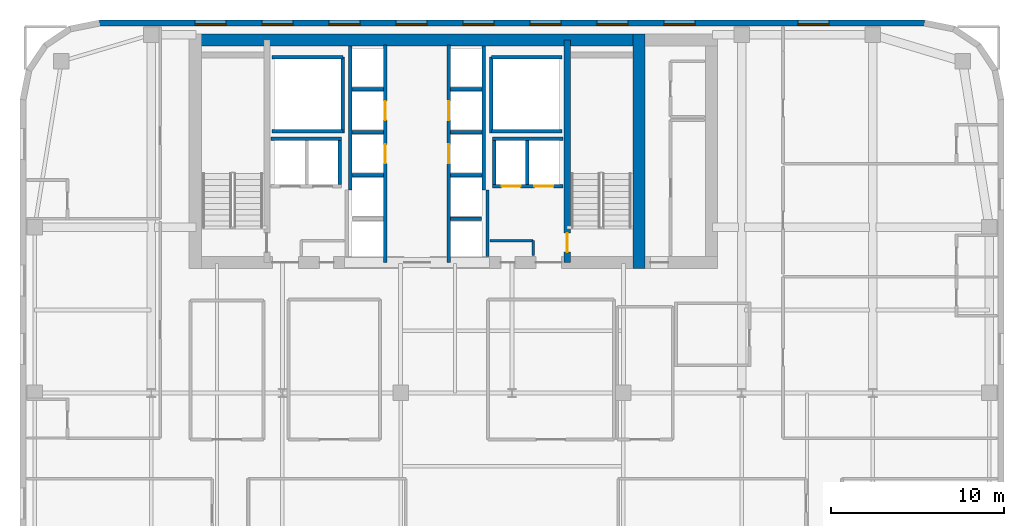
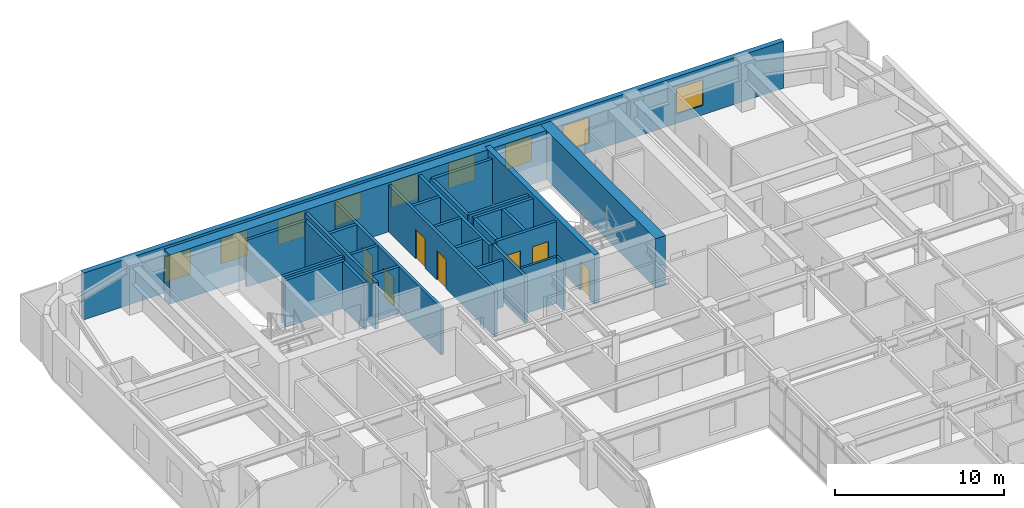
# One storey, part 14 of 16: 30 walls, 9 windows, 7 doors, 16 openings.
"""IFC4 building model written with IfcOpenShell, lengths in metres."""

import ifcopenshell
import ifcopenshell.guid

model = None  # the IFC model being written
_history = None  # IfcOwnerHistory: only IFC2X3 demands one
_inside = {}  # id of a spatial element -> (the spatial element, [elements in it])
_under = {}  # id of a project, library or spatial element -> (it, [spatial elements below it])
_declared = {}  # id of a project -> (the project, [libraries it declares])
_typed = {}  # id of a type object -> (the type object, [elements of that type])
_made_of = {}  # id of a material, layer set ... -> (it, [elements and type objects made of it])


def new_model(schema):
    """Start an empty IFC model of exactly this schema.

    Asked for "IFC4X3", IfcOpenShell would pick the latest addendum, in which some entities
    have other attributes; the version numbers below select the first issue.
    IFC2X3 requires an IfcOwnerHistory on every rooted entity: one is made here for all.
    """
    global model, _history
    if schema == "IFC4X3":
        model = ifcopenshell.file(schema_version=(4, 3, 0, 0))
    else:
        model = ifcopenshell.file(schema=schema)
    _inside.clear()
    _under.clear()
    _declared.clear()
    _typed.clear()
    _made_of.clear()
    _history = None
    if model.schema == "IFC2X3":
        org = make("IfcOrganization", Name="unknown")
        user = make(
            "IfcPersonAndOrganization",
            ThePerson=make("IfcPerson", FamilyName="unknown"),
            TheOrganization=org,
        )
        app = make(
            "IfcApplication",
            ApplicationDeveloper=org,
            Version="unknown",
            ApplicationFullName="unknown",
            ApplicationIdentifier="unknown",
        )
        _history = make(
            "IfcOwnerHistory",
            OwningUser=user,
            OwningApplication=app,
            ChangeAction="ADDED",
            CreationDate=0,
        )
    return model


def make(cls, **values):
    """One entity of the class cls with the attributes given. An attribute that is None is left unset."""
    return model.create_entity(
        cls, **{name: value for name, value in values.items() if value is not None}
    )


def rooted(cls, **values):
    """An entity with a GlobalId (a new one), such as an element, a storey or a relation."""
    return make(cls, GlobalId=ifcopenshell.guid.new(), OwnerHistory=_history, **values)


def si_unit(unit_type, name, prefix=None):
    """IfcSIUnit, for example si_unit("LENGTHUNIT", "METRE", prefix="MILLI")."""
    return make("IfcSIUnit", UnitType=unit_type, Prefix=prefix, Name=name)


def assignment(units):
    """IfcUnitAssignment: the units of a project."""
    return None if units is None else make("IfcUnitAssignment", Units=units)


def point(xyz):
    """IfcCartesianPoint."""
    return None if xyz is None else make("IfcCartesianPoint", Coordinates=xyz)


def direction(xyz):
    """IfcDirection."""
    return None if xyz is None else make("IfcDirection", DirectionRatios=xyz)


def frame(location, z_axis=None, x_axis=None):
    """IfcAxis2Placement3D, a coordinate frame: its origin and axes. An axis left out is left unset."""
    return make(
        "IfcAxis2Placement3D",
        Location=point(location),
        Axis=direction(z_axis),
        RefDirection=direction(x_axis),
    )


def frame_2d(location, x_axis=None):
    """IfcAxis2Placement2D, a coordinate frame in the plane: its origin and x axis."""
    return make(
        "IfcAxis2Placement2D", Location=point(location), RefDirection=direction(x_axis)
    )


def origin():
    """The frame at (0, 0, 0) with its axes left unset."""
    return frame((0.0, 0.0, 0.0))


def place(relative_to, where):
    """IfcLocalPlacement: puts the frame where relative to a parent placement (None: the world)."""
    return make(
        "IfcLocalPlacement", PlacementRelTo=relative_to, RelativePlacement=where
    )


def context(
    kind, dimensions, precision=None, world=None, true_north=None, identifier=None
):
    """IfcGeometricRepresentationContext, for example the 3D "Model" context."""
    return make(
        "IfcGeometricRepresentationContext",
        ContextIdentifier=identifier,
        ContextType=kind,
        CoordinateSpaceDimension=dimensions,
        Precision=precision,
        WorldCoordinateSystem=world,
        TrueNorth=true_north,
    )


def subcontext(parent, identifier, kind, view, scale=None):
    """IfcGeometricRepresentationSubContext, for example "Body" below "Model"."""
    return make(
        "IfcGeometricRepresentationSubContext",
        ContextIdentifier=identifier,
        ContextType=kind,
        ParentContext=parent,
        TargetScale=scale,
        TargetView=view,
    )


def project(units=None, contexts=None):
    """IfcProject with its units and contexts."""
    return rooted(
        "IfcProject",
        Name="project",
        RepresentationContexts=contexts,
        UnitsInContext=assignment(units),
    )


def spatial(cls, under=None, at=None, **own):
    """A site, building, storey or space (cls), placed at a placement, below another one or the project."""
    s = rooted(cls, ObjectPlacement=at, **own)
    if under is not None:
        _under.setdefault(under.id(), (under, []))[1].append(s)
    return s


def profile(cls, at=None, kind="AREA", **sizes):
    """A parametric profile (cls). Its sizes go by their IFC names, for example OverallWidth=200.0."""
    return make(cls, ProfileType=kind, Position=at, **sizes)


def rectangle(**sizes):
    """IfcRectangleProfileDef."""
    return profile("IfcRectangleProfileDef", **sizes)


def extrude(swept, where, along, depth):
    """IfcExtrudedAreaSolid: the profile swept, set in the frame where, extruded along a direction by depth."""
    return make(
        "IfcExtrudedAreaSolid",
        SweptArea=swept,
        Position=where,
        ExtrudedDirection=direction(along),
        Depth=depth,
    )


def shape(context_of_items, identifier, shape_type, items):
    """IfcShapeRepresentation: the items that make up one representation, for example the "Body"."""
    return make(
        "IfcShapeRepresentation",
        ContextOfItems=context_of_items,
        RepresentationIdentifier=identifier,
        RepresentationType=shape_type,
        Items=items,
    )


def source(mapping_origin, context_of_items, identifier, shape_type, items):
    """IfcRepresentationMap: a shape defined once, which mapped items show again and again."""
    return make(
        "IfcRepresentationMap",
        MappingOrigin=mapping_origin,
        MappedRepresentation=shape(context_of_items, identifier, shape_type, items),
    )


def transform(
    local_origin,
    x_axis=None,
    y_axis=None,
    z_axis=None,
    scale=None,
    scale2=None,
    scale3=None,
    uniform=True,
):
    """IfcCartesianTransformationOperator3D, or its non-uniform kind. x_axis, y_axis, z_axis: its Axis1, 2, 3."""
    if uniform:
        return make(
            "IfcCartesianTransformationOperator3D",
            Axis1=direction(x_axis),
            Axis2=direction(y_axis),
            LocalOrigin=point(local_origin),
            Scale=scale,
            Axis3=direction(z_axis),
        )
    return make(
        "IfcCartesianTransformationOperator3DnonUniform",
        Axis1=direction(x_axis),
        Axis2=direction(y_axis),
        LocalOrigin=point(local_origin),
        Scale=scale,
        Axis3=direction(z_axis),
        Scale2=scale2,
        Scale3=scale3,
    )


def mapped(mapping_source, mapping_target):
    """IfcMappedItem: shows the shape of a source again, moved by a transform."""
    return make(
        "IfcMappedItem", MappingSource=mapping_source, MappingTarget=mapping_target
    )


def material(Name=None, Category=None):
    """IfcMaterial."""
    return make("IfcMaterial", Name=Name, Category=Category)


def layer(
    of_material, thickness, ventilated=None, Name=None, Category=None, Priority=None
):
    """IfcMaterialLayer: one layer of a wall or slab, of a material (None: an air gap)."""
    return make(
        "IfcMaterialLayer",
        Material=of_material,
        LayerThickness=thickness,
        IsVentilated=ventilated,
        Name=Name,
        Category=Category,
        Priority=Priority,
    )


def layer_set(layers, Name=None):
    """IfcMaterialLayerSet."""
    return make("IfcMaterialLayerSet", MaterialLayers=layers, LayerSetName=Name)


def made_of(thing, what):
    """Note that an element or type object is made of a material, layer set ...; save() writes the relation."""
    if what is not None:
        _made_of.setdefault(what.id(), (what, []))[1].append(thing)
    return thing


def type_object(cls, material=None, **own):
    """A type object (cls), such as IfcWallType, which elements share."""
    return made_of(rooted(cls, **own), material)


def type_shapes(of_type, sources):
    """Give a type object the sources (RepresentationMaps) that its elements show as mapped items."""
    of_type.RepresentationMaps = sources


def element(
    cls,
    number,
    at=None,
    inside=None,
    cuts=None,
    type_object=None,
    material=None,
    context=None,
    identifier="Body",
    shape_type=None,
    held_by="IfcProductDefinitionShape",
    body=None,
    shapes=None,
    **own,
):
    """One element of the class cls, such as IfcWall. Its Tag is "e" and its number.

    at: its placement. inside: the storey or other place that contains it. cuts: it is an
    opening in that element (IfcRelVoidsElement). A single representation is given by context,
    identifier, shape_type and body (its items); several are given by shapes. held_by: the class
    of the entity that holds the representations. save() writes the other relations.
    """
    e = rooted(cls, Tag="e%d" % number, ObjectPlacement=at, **own)
    if body is not None:
        shapes = [shape(context, identifier, shape_type, body)]
    if shapes is not None:
        e.Representation = make(held_by, Representations=shapes)
    if inside is not None:
        _inside.setdefault(inside.id(), (inside, []))[1].append(e)
    if cuts is not None:
        rooted(
            "IfcRelVoidsElement", RelatingBuildingElement=cuts, RelatedOpeningElement=e
        )
    if type_object is not None:
        _typed.setdefault(type_object.id(), (type_object, []))[1].append(e)
    return made_of(e, material)


def fill(opening, filler):
    """IfcRelFillsElement: the door or window that sits in an opening."""
    return rooted(
        "IfcRelFillsElement",
        RelatingOpeningElement=opening,
        RelatedBuildingElement=filler,
    )


def aggregate(whole, parts):
    """IfcRelAggregates: a whole, such as a stair, and the parts it consists of."""
    return rooted("IfcRelAggregates", RelatingObject=whole, RelatedObjects=parts)


def save(model, path):
    """Write the relations noted so far, then the file.

    IfcRelAggregates (storeys below a building ...), IfcRelContainedInSpatialStructure (elements
    in a storey), IfcRelDefinesByType, IfcRelAssociatesMaterial and IfcRelDeclares: one each for
    every whole, place, type object, material and project.
    """
    for whole, parts in _under.values():
        aggregate(whole, parts)
    for where, things in _inside.values():
        rooted(
            "IfcRelContainedInSpatialStructure",
            RelatedElements=things,
            RelatingStructure=where,
        )
    for kind, things in _typed.values():
        rooted("IfcRelDefinesByType", RelatedObjects=things, RelatingType=kind)
    for what, things in _made_of.values():
        rooted("IfcRelAssociatesMaterial", RelatedObjects=things, RelatingMaterial=what)
    for by, libraries in _declared.values():
        rooted("IfcRelDeclares", RelatingContext=by, RelatedDefinitions=libraries)
    model.write(path)


model = new_model("IFC4")

# Units and contexts
model_context = context("Model", 3, precision=1e-05, world=origin(), true_north=direction((0.0, 1.0)))
body_context = subcontext(model_context, "Body", "Model", "MODEL_VIEW")
ifc_project = project(units=[si_unit("LENGTHUNIT", "METRE"), si_unit("AREAUNIT", "SQUARE_METRE"), si_unit("VOLUMEUNIT", "CUBIC_METRE"), si_unit("PLANEANGLEUNIT", "RADIAN"), si_unit("MASSUNIT", "GRAM", prefix="KILO")], contexts=[model_context])

# Site, building, storey
site_placement = place(None, origin())
site = spatial("IfcSite", under=ifc_project, at=site_placement, CompositionType="ELEMENT")
building_placement = place(site_placement, origin())
building = spatial("IfcBuilding", under=site, at=building_placement, Name="Tolvann Quenvar Hotel", CompositionType="ELEMENT")
storey_placement = place(building_placement, frame((0.0, 0.0, 115.10009765625)))
storey = spatial("IfcBuildingStorey", under=building, at=storey_placement, Name="L29", CompositionType="ELEMENT", Elevation=115.10009765625)

# Walls
ifc_material_1 = material(Name="Concrete S65 (65 MPa)", Category="concrete")
ifc_layer_1 = layer(ifc_material_1, 0.699951171875)
ifc_layer_set_1 = layer_set([ifc_layer_1], Name="Concrete S65 (65 MPa)")
wall_type_1 = type_object("IfcWallType", Name="WALL_CORE_700", PredefinedType="SHEAR", material=ifc_layer_set_1)
wall_1_placement = place(storey_placement, frame((9.800048828125, 44.85009765625, 0.0), z_axis=(0.0, 0.0, 1.0), x_axis=(1.0, 0.0, 0.0)))
element("IfcWall", 1, at=wall_1_placement, inside=storey, type_object=wall_type_1, Name="Rear Core N Shear Wall (L29)", PredefinedType="SHEAR", context=body_context, shape_type="SweptSolid", body=[
    extrude(rectangle(XDim=26.39990234375, YDim=0.699951171875, at=frame_2d((13.199951171875, 0.0))), origin(), (0.0, 0.0, 1.0), 3.5498046875),
])
wall_2_placement = place(storey_placement, frame((35.85009765625, 31.60009765625, 0.0), z_axis=(0.0, 0.0, 1.0), x_axis=(0.0, 1.0, 0.0)))
element("IfcWall", 2, at=wall_2_placement, inside=storey, type_object=wall_type_1, Name="Rear Core E Shear Wall (L29)", PredefinedType="SHEAR", context=body_context, shape_type="SweptSolid", body=[
    extrude(rectangle(XDim=13.599853515625, YDim=0.699951171875, at=frame_2d((6.7998046875, 0.0))), origin(), (0.0, 0.0, 1.0), 3.5498046875),
])

# Wall, opening, door
ifc_layer_2 = layer(ifc_material_1, 0.35009765625)
ifc_layer_set_2 = layer_set([ifc_layer_2], Name="Concrete S65 (65 MPa)")
wall_type_2 = type_object("IfcWallType", Name="WALL_CORE_INT_350", PredefinedType="SHEAR", material=ifc_layer_set_2)
wall_3_placement = place(storey_placement, frame((31.699951171875, 31.949951171875, 0.0), z_axis=(0.0, 0.0, 1.0), x_axis=(0.0, 1.0, 0.0)))
wall_3 = element("IfcWall", 3, at=wall_3_placement, inside=storey, type_object=wall_type_2, Name="Core Internal Web Shear Wall WEB-E (L29)", PredefinedType="SHEAR", context=body_context, shape_type="SweptSolid", body=[
    extrude(rectangle(XDim=12.900146484375, YDim=0.35009765625, at=frame_2d((6.4501953125, 0.0))), origin(), (0.0, 0.0, 1.0), 3.5498046875),
])
opening_1_placement = place(wall_3_placement, frame((1.7001953125, 0.0, 0.0), z_axis=(0.0, 0.0, 1.0), x_axis=(-1.0, 0.0, 0.0)))
opening_1 = element("IfcOpeningElement", 4, at=opening_1_placement, cuts=wall_3, Name="Opening FD-120", PredefinedType="OPENING", context=body_context, shape_type="SweptSolid", body=[
    extrude(rectangle(XDim=1.10009765625, YDim=2.1201171875, at=frame_2d((0.550048828125, 1.06005859375))), frame((0.0, 0.18505859375, 0.0), z_axis=(0.0, -1.0, 0.0), x_axis=(1.0, 0.0, 0.0)), (0.0, 0.0, 1.0), 0.3701171875),
])
ifc_material_2 = material(Name="Pressed galvanised steel fire-rated door set", Category="steel")
door_type_1 = type_object("IfcDoorType", Name="DOOR_FIRE_STAIR_1100", OperationType="NOTDEFINED", PredefinedType="DOOR", material=ifc_material_2)
shared_shape_1 = source(origin(), body_context, "Body", "SweptSolid", [
    extrude(rectangle(XDim=1.10009765625, YDim=2.1201171875, at=frame_2d((0.550048828125, 1.06005859375))), frame((0.0, 0.02490234375, 0.0), z_axis=(0.0, -1.0, 0.0), x_axis=(1.0, 0.0, 0.0)), (0.0, 0.0, 1.0), 0.050048828125),
])
type_shapes(door_type_1, [shared_shape_1])
door_1_placement = place(opening_1_placement, origin())
door_1 = element("IfcDoor", 5, at=door_1_placement, inside=storey, type_object=door_type_1, Name="Exit Stair ST-C2 Fire Door (L29)", OperationType="SINGLE_SWING_RIGHT", OverallHeight=2.1201171875, OverallWidth=1.10009765625, PredefinedType="DOOR", context=body_context, shape_type="MappedRepresentation", body=[
    mapped(shared_shape_1, transform((0.0, 0.0, 0.0), x_axis=(1.0, 0.0, 0.0), y_axis=(0.0, 1.0, 0.0), z_axis=(0.0, 0.0, 1.0), scale=1.0)),
])
fill(opening_1, door_1)

# Wall, openings, windows
ifc_material_3 = material(Name="Kiln-fired red and buff architectural clay brickwork and terracotta masonry", Category="masonry")
ifc_layer_3 = layer(ifc_material_3, 0.35009765625)
ifc_layer_set_3 = layer_set([ifc_layer_3], Name="Kiln-fired red and buff architectural clay brickwork and terracotta masonry")
wall_type_3 = type_object("IfcWallType", Name="WALL_EXT_BRICK_350", PredefinedType="SOLIDWALL", material=ifc_layer_set_3)
wall_4_placement = place(storey_placement, frame((52.3828125, 45.824951171875, 0.0), z_axis=(0.0, 0.0, 1.0), x_axis=(-1.0, 0.0, 0.0)))
wall_4 = element("IfcWall", 6, at=wall_4_placement, inside=storey, type_object=wall_type_3, Name="Exterior Chicago Brick Wall L29-E18", PredefinedType="SOLIDWALL", context=body_context, shape_type="SweptSolid", body=[
    extrude(rectangle(XDim=47.765625, YDim=0.35009765625, at=frame_2d((23.8828125, 0.0))), origin(), (0.0, 0.0, 1.0), 3.369873046875),
])
opening_2_placement = place(wall_4_placement, frame((5.52099609375, 0.0, 0.679931640625)))
opening_2 = element("IfcOpeningElement", 7, at=opening_2_placement, cuts=wall_4, Name="Opening W-03", PredefinedType="OPENING", context=body_context, shape_type="SweptSolid", body=[
    extrude(rectangle(XDim=1.800048828125, YDim=1.85009765625, at=frame_2d((0.89990234375, 0.925048828125))), frame((0.0, 0.18505859375, 0.0), z_axis=(0.0, -1.0, 0.0), x_axis=(1.0, 0.0, 0.0)), (0.0, 0.0, 1.0), 0.3701171875),
])
opening_3_placement = place(wall_4_placement, frame((13.281982421875, 0.0, 0.679931640625)))
opening_3 = element("IfcOpeningElement", 8, at=opening_3_placement, cuts=wall_4, Name="Opening W-03", PredefinedType="OPENING", context=body_context, shape_type="SweptSolid", body=[
    extrude(rectangle(XDim=1.800048828125, YDim=1.85009765625, at=frame_2d((0.89990234375, 0.925048828125))), frame((0.0, 0.18505859375, 0.0), z_axis=(0.0, -1.0, 0.0), x_axis=(1.0, 0.0, 0.0)), (0.0, 0.0, 1.0), 0.3701171875),
])
opening_4_placement = place(wall_4_placement, frame((17.162109375, 0.0, 0.679931640625)))
opening_4 = element("IfcOpeningElement", 9, at=opening_4_placement, cuts=wall_4, Name="Opening W-03", PredefinedType="OPENING", context=body_context, shape_type="SweptSolid", body=[
    extrude(rectangle(XDim=1.800048828125, YDim=1.85009765625, at=frame_2d((0.89990234375, 0.925048828125))), frame((0.0, 0.18505859375, 0.0), z_axis=(0.0, -1.0, 0.0), x_axis=(1.0, 0.0, 0.0)), (0.0, 0.0, 1.0), 0.3701171875),
])
opening_5_placement = place(wall_4_placement, frame((21.04296875, 0.0, 0.679931640625)))
opening_5 = element("IfcOpeningElement", 10, at=opening_5_placement, cuts=wall_4, Name="Opening W-03", PredefinedType="OPENING", context=body_context, shape_type="SweptSolid", body=[
    extrude(rectangle(XDim=1.800048828125, YDim=1.85009765625, at=frame_2d((0.89990234375, 0.925048828125))), frame((0.0, 0.18505859375, 0.0), z_axis=(0.0, -1.0, 0.0), x_axis=(1.0, 0.0, 0.0)), (0.0, 0.0, 1.0), 0.3701171875),
])
opening_6_placement = place(wall_4_placement, frame((24.923095703125, 0.0, 0.679931640625)))
opening_6 = element("IfcOpeningElement", 11, at=opening_6_placement, cuts=wall_4, Name="Opening W-03", PredefinedType="OPENING", context=body_context, shape_type="SweptSolid", body=[
    extrude(rectangle(XDim=1.800048828125, YDim=1.85009765625, at=frame_2d((0.89990234375, 0.925048828125))), frame((0.0, 0.18505859375, 0.0), z_axis=(0.0, -1.0, 0.0), x_axis=(1.0, 0.0, 0.0)), (0.0, 0.0, 1.0), 0.3701171875),
])
opening_7_placement = place(wall_4_placement, frame((28.803955078125, 0.0, 0.679931640625)))
opening_7 = element("IfcOpeningElement", 12, at=opening_7_placement, cuts=wall_4, Name="Opening W-03", PredefinedType="OPENING", context=body_context, shape_type="SweptSolid", body=[
    extrude(rectangle(XDim=1.800048828125, YDim=1.85009765625, at=frame_2d((0.89990234375, 0.925048828125))), frame((0.0, 0.18505859375, 0.0), z_axis=(0.0, -1.0, 0.0), x_axis=(1.0, 0.0, 0.0)), (0.0, 0.0, 1.0), 0.3701171875),
])
opening_8_placement = place(wall_4_placement, frame((32.68408203125, 0.0, 0.679931640625)))
opening_8 = element("IfcOpeningElement", 13, at=opening_8_placement, cuts=wall_4, Name="Opening W-03", PredefinedType="OPENING", context=body_context, shape_type="SweptSolid", body=[
    extrude(rectangle(XDim=1.800048828125, YDim=1.85009765625, at=frame_2d((0.89990234375, 0.925048828125))), frame((0.0, 0.18505859375, 0.0), z_axis=(0.0, -1.0, 0.0), x_axis=(1.0, 0.0, 0.0)), (0.0, 0.0, 1.0), 0.3701171875),
])
opening_9_placement = place(wall_4_placement, frame((36.56396484375, 0.0, 0.679931640625)))
opening_9 = element("IfcOpeningElement", 14, at=opening_9_placement, cuts=wall_4, Name="Opening W-03", PredefinedType="OPENING", context=body_context, shape_type="SweptSolid", body=[
    extrude(rectangle(XDim=1.800048828125, YDim=1.85009765625, at=frame_2d((0.89990234375, 0.925048828125))), frame((0.0, 0.18505859375, 0.0), z_axis=(0.0, -1.0, 0.0), x_axis=(1.0, 0.0, 0.0)), (0.0, 0.0, 1.0), 0.3701171875),
])
opening_10_placement = place(wall_4_placement, frame((40.445068359375, 0.0, 0.679931640625)))
opening_10 = element("IfcOpeningElement", 15, at=opening_10_placement, cuts=wall_4, Name="Opening W-03", PredefinedType="OPENING", context=body_context, shape_type="SweptSolid", body=[
    extrude(rectangle(XDim=1.800048828125, YDim=1.85009765625, at=frame_2d((0.89990234375, 0.925048828125))), frame((0.0, 0.18505859375, 0.0), z_axis=(0.0, -1.0, 0.0), x_axis=(1.0, 0.0, 0.0)), (0.0, 0.0, 1.0), 0.3701171875),
])
ifc_material_4 = material(Name="Thermally broken bronze-anodised aluminium frame with double low-E glazing", Category="aluminium")
window_type = type_object("IfcWindowType", Name="WIN_CHI_1800x2050", PartitioningType="TRIPLE_PANEL_HORIZONTAL", PredefinedType="WINDOW", material=ifc_material_4)
shared_shape_2 = source(origin(), body_context, "Body", "SweptSolid", [
    extrude(rectangle(XDim=1.800048828125, YDim=1.85009765625, at=frame_2d((0.89990234375, 0.925048828125))), frame((0.0, 0.090087890625, 0.0), z_axis=(0.0, -1.0, 0.0), x_axis=(1.0, 0.0, 0.0)), (0.0, 0.0, 1.0), 0.06005859375),
])
type_shapes(window_type, [shared_shape_2])
window_1_placement = place(opening_2_placement, origin())
window_1 = element("IfcWindow", 16, at=window_1_placement, inside=storey, type_object=window_type, Name="Chicago Window W-03 (EW-L29-E18-W01)", OverallHeight=1.85009765625, OverallWidth=1.800048828125, PartitioningType="TRIPLE_PANEL_HORIZONTAL", PredefinedType="WINDOW", context=body_context, shape_type="MappedRepresentation", body=[
    mapped(shared_shape_2, transform((0.0, 0.0, 0.0), x_axis=(1.0, 0.0, 0.0), y_axis=(0.0, 1.0, 0.0), z_axis=(0.0, 0.0, 1.0), scale=1.0)),
])
fill(opening_2, window_1)
window_2_placement = place(opening_3_placement, origin())
window_2 = element("IfcWindow", 17, at=window_2_placement, inside=storey, type_object=window_type, Name="Chicago Window W-03 (EW-L29-E18-W02)", OverallHeight=1.85009765625, OverallWidth=1.800048828125, PartitioningType="TRIPLE_PANEL_HORIZONTAL", PredefinedType="WINDOW", context=body_context, shape_type="MappedRepresentation", body=[
    mapped(shared_shape_2, transform((0.0, 0.0, 0.0), x_axis=(1.0, 0.0, 0.0), y_axis=(0.0, 1.0, 0.0), z_axis=(0.0, 0.0, 1.0), scale=1.0)),
])
fill(opening_3, window_2)
window_3_placement = place(opening_4_placement, origin())
window_3 = element("IfcWindow", 18, at=window_3_placement, inside=storey, type_object=window_type, Name="Chicago Window W-03 (EW-L29-E18-W03)", OverallHeight=1.85009765625, OverallWidth=1.800048828125, PartitioningType="TRIPLE_PANEL_HORIZONTAL", PredefinedType="WINDOW", context=body_context, shape_type="MappedRepresentation", body=[
    mapped(shared_shape_2, transform((0.0, 0.0, 0.0), x_axis=(1.0, 0.0, 0.0), y_axis=(0.0, 1.0, 0.0), z_axis=(0.0, 0.0, 1.0), scale=1.0)),
])
fill(opening_4, window_3)
window_4_placement = place(opening_5_placement, origin())
window_4 = element("IfcWindow", 19, at=window_4_placement, inside=storey, type_object=window_type, Name="Chicago Window W-03 (EW-L29-E18-W04)", OverallHeight=1.85009765625, OverallWidth=1.800048828125, PartitioningType="TRIPLE_PANEL_HORIZONTAL", PredefinedType="WINDOW", context=body_context, shape_type="MappedRepresentation", body=[
    mapped(shared_shape_2, transform((0.0, 0.0, 0.0), x_axis=(1.0, 0.0, 0.0), y_axis=(0.0, 1.0, 0.0), z_axis=(0.0, 0.0, 1.0), scale=1.0)),
])
fill(opening_5, window_4)
window_5_placement = place(opening_6_placement, origin())
window_5 = element("IfcWindow", 20, at=window_5_placement, inside=storey, type_object=window_type, Name="Chicago Window W-03 (EW-L29-E18-W05)", OverallHeight=1.85009765625, OverallWidth=1.800048828125, PartitioningType="TRIPLE_PANEL_HORIZONTAL", PredefinedType="WINDOW", context=body_context, shape_type="MappedRepresentation", body=[
    mapped(shared_shape_2, transform((0.0, 0.0, 0.0), x_axis=(1.0, 0.0, 0.0), y_axis=(0.0, 1.0, 0.0), z_axis=(0.0, 0.0, 1.0), scale=1.0)),
])
fill(opening_6, window_5)
window_6_placement = place(opening_7_placement, origin())
window_6 = element("IfcWindow", 21, at=window_6_placement, inside=storey, type_object=window_type, Name="Chicago Window W-03 (EW-L29-E18-W06)", OverallHeight=1.85009765625, OverallWidth=1.800048828125, PartitioningType="TRIPLE_PANEL_HORIZONTAL", PredefinedType="WINDOW", context=body_context, shape_type="MappedRepresentation", body=[
    mapped(shared_shape_2, transform((0.0, 0.0, 0.0), x_axis=(1.0, 0.0, 0.0), y_axis=(0.0, 1.0, 0.0), z_axis=(0.0, 0.0, 1.0), scale=1.0)),
])
fill(opening_7, window_6)
window_7_placement = place(opening_8_placement, origin())
window_7 = element("IfcWindow", 22, at=window_7_placement, inside=storey, type_object=window_type, Name="Chicago Window W-03 (EW-L29-E18-W07)", OverallHeight=1.85009765625, OverallWidth=1.800048828125, PartitioningType="TRIPLE_PANEL_HORIZONTAL", PredefinedType="WINDOW", context=body_context, shape_type="MappedRepresentation", body=[
    mapped(shared_shape_2, transform((0.0, 0.0, 0.0), x_axis=(1.0, 0.0, 0.0), y_axis=(0.0, 1.0, 0.0), z_axis=(0.0, 0.0, 1.0), scale=1.0)),
])
fill(opening_8, window_7)
window_8_placement = place(opening_9_placement, origin())
window_8 = element("IfcWindow", 23, at=window_8_placement, inside=storey, type_object=window_type, Name="Chicago Window W-03 (EW-L29-E18-W08)", OverallHeight=1.85009765625, OverallWidth=1.800048828125, PartitioningType="TRIPLE_PANEL_HORIZONTAL", PredefinedType="WINDOW", context=body_context, shape_type="MappedRepresentation", body=[
    mapped(shared_shape_2, transform((0.0, 0.0, 0.0), x_axis=(1.0, 0.0, 0.0), y_axis=(0.0, 1.0, 0.0), z_axis=(0.0, 0.0, 1.0), scale=1.0)),
])
fill(opening_9, window_8)
window_9_placement = place(opening_10_placement, origin())
window_9 = element("IfcWindow", 24, at=window_9_placement, inside=storey, type_object=window_type, Name="Chicago Window W-03 (EW-L29-E18-W09)", OverallHeight=1.85009765625, OverallWidth=1.800048828125, PartitioningType="TRIPLE_PANEL_HORIZONTAL", PredefinedType="WINDOW", context=body_context, shape_type="MappedRepresentation", body=[
    mapped(shared_shape_2, transform((0.0, 0.0, 0.0), x_axis=(1.0, 0.0, 0.0), y_axis=(0.0, 1.0, 0.0), z_axis=(0.0, 0.0, 1.0), scale=1.0)),
])
fill(opening_10, window_9)

# Walls
ifc_material_5 = material(Name="Acoustic twin-stud fire-rated gypsum plasterboard partition")
ifc_layer_4 = layer(ifc_material_5, 0.14990234375)
ifc_layer_set_4 = layer_set([ifc_layer_4], Name="Acoustic twin-stud fire-rated gypsum plasterboard partition")
wall_type_4 = type_object("IfcWallType", Name="WALL_PART_SUITE_150", PredefinedType="PARTITIONING", material=ifc_layer_set_4)
wall_5_placement = place(storey_placement, frame((27.235107421875, 33.219970703125, 0.0), z_axis=(0.0, 0.0, 1.0), x_axis=(1.0, 0.0, 0.0)))
element("IfcWall", 25, at=wall_5_placement, inside=storey, type_object=wall_type_4, Name="Interior Partition PT-SPC-L29-CSE-2-N", PredefinedType="PARTITIONING", context=body_context, shape_type="SweptSolid", body=[
    extrude(rectangle(XDim=2.48486328125, YDim=0.14990234375, at=frame_2d((1.242431640625, 0.0))), origin(), (0.0, 0.0, 1.0), 3.369873046875),
])
wall_6_placement = place(storey_placement, frame((29.719970703125, 32.35498046875, 0.0), z_axis=(0.0, 0.0, 1.0), x_axis=(0.0, 1.0, 0.0)))
element("IfcWall", 26, at=wall_6_placement, inside=storey, type_object=wall_type_4, Name="Interior Partition PT-SPC-L29-CSE-2-E", PredefinedType="PARTITIONING", context=body_context, shape_type="SweptSolid", body=[
    extrude(rectangle(XDim=0.864990234375, YDim=0.14990234375, at=frame_2d((0.4326171875, 0.0))), origin(), (0.0, 0.0, 1.0), 3.369873046875),
])
ifc_material_6 = material(Name="Concrete N40 (40 MPa)", Category="concrete")
ifc_layer_5 = layer(ifc_material_6, 0.199951171875)
ifc_layer_set_5 = layer_set([ifc_layer_5], Name="Concrete N40 (40 MPa)")
wall_type_5 = type_object("IfcWallType", Name="WALL_SHAFT_200", PredefinedType="SOLIDWALL", material=ifc_layer_set_5)
wall_7_placement = place(storey_placement, frame((18.699951171875, 39.449951171875, 0.0), z_axis=(0.0, 0.0, 1.0), x_axis=(0.0, 1.0, 0.0)))
element("IfcWall", 27, at=wall_7_placement, inside=storey, type_object=wall_type_5, Name="Service Riser W Shaft Wall IN (L29)", PredefinedType="SOLIDWALL", context=body_context, shape_type="SweptSolid", body=[
    extrude(rectangle(XDim=4.400146484375, YDim=0.199951171875, at=frame_2d((2.2001953125, 0.0))), origin(), (0.0, 0.0, 1.0), 3.369873046875),
])
for number, where, z_axis, x_axis, name in (
    (28, (14.60009765625, 39.550048828125, 0.0), (0.0, 0.0, 1.0), (1.0, 0.0, 0.0), "Service Riser W Shaft Wall S (L29)"),
    (29, (14.60009765625, 43.85009765625, 0.0), (0.0, 0.0, 1.0), (1.0, 0.0, 0.0), "Service Riser W Shaft Wall N (L29)"),
):
    element("IfcWall", number, at=place(storey_placement, frame(where, z_axis=z_axis, x_axis=x_axis)), inside=storey, type_object=wall_type_5, Name=name, PredefinedType="SOLIDWALL", context=body_context, shape_type="SweptSolid", body=[
        extrude(rectangle(XDim=4.099853515625, YDim=0.199951171875, at=frame_2d((2.0498046875, 0.0))), origin(), (0.0, 0.0, 1.0), 3.369873046875),
    ])
wall_8_placement = place(storey_placement, frame((27.300048828125, 39.449951171875, 0.0), z_axis=(0.0, 0.0, 1.0), x_axis=(0.0, 1.0, 0.0)))
element("IfcWall", 30, at=wall_8_placement, inside=storey, type_object=wall_type_5, Name="Service Riser E Shaft Wall IN (L29)", PredefinedType="SOLIDWALL", context=body_context, shape_type="SweptSolid", body=[
    extrude(rectangle(XDim=4.400146484375, YDim=0.199951171875, at=frame_2d((2.2001953125, 0.0))), origin(), (0.0, 0.0, 1.0), 3.369873046875),
])
for number, where, z_axis, x_axis, name in (
    (31, (27.300048828125, 39.550048828125, 0.0), (0.0, 0.0, 1.0), (1.0, 0.0, 0.0), "Service Riser E Shaft Wall S (L29)"),
    (32, (27.300048828125, 43.85009765625, 0.0), (0.0, 0.0, 1.0), (1.0, 0.0, 0.0), "Service Riser E Shaft Wall N (L29)"),
):
    element("IfcWall", number, at=place(storey_placement, frame(where, z_axis=z_axis, x_axis=x_axis)), inside=storey, type_object=wall_type_5, Name=name, PredefinedType="SOLIDWALL", context=body_context, shape_type="SweptSolid", body=[
        extrude(rectangle(XDim=4.099853515625, YDim=0.199951171875, at=frame_2d((2.0498046875, 0.0))), origin(), (0.0, 0.0, 1.0), 3.369873046875),
    ])
wall_9_placement = place(storey_placement, frame((27.080078125, 32.303955078125, 0.0), z_axis=(0.0, 0.0, 1.0), x_axis=(0.0, 1.0, 0.0)))
element("IfcWall", 33, at=wall_9_placement, inside=storey, type_object=wall_type_5, Name="Firefighting Lobby E Inner Fire Wall (L29)", PredefinedType="SOLIDWALL", context=body_context, shape_type="SweptSolid", body=[
    extrude(rectangle(XDim=3.845947265625, YDim=0.199951171875, at=frame_2d((1.9228515625, 0.0))), origin(), (0.0, 0.0, 1.0), 3.369873046875),
])

# Wall, openings, doors
wall_10_placement = place(storey_placement, frame((21.169921875, 31.9599609375, 0.0), z_axis=(0.0, 0.0, 1.0), x_axis=(0.0, 1.0, 0.0)))
wall_10 = element("IfcWall", 34, at=wall_10_placement, inside=storey, type_object=wall_type_5, Name="Lift Bank E21.1C1 Hoistway Front Wall (L29)", PredefinedType="SOLIDWALL", context=body_context, shape_type="SweptSolid", body=[
    extrude(rectangle(XDim=12.580078125, YDim=0.199951171875, at=frame_2d((6.2900390625, 0.0))), origin(), (0.0, 0.0, 1.0), 3.369873046875),
])
opening_11_placement = place(wall_10_placement, frame((5.739990234375, 0.0, 0.0)))
opening_11 = element("IfcOpeningElement", 35, at=opening_11_placement, cuts=wall_10, Name="Opening LD-01", PredefinedType="OPENING", context=body_context, shape_type="SweptSolid", body=[
    extrude(rectangle(XDim=1.10009765625, YDim=2.1201171875, at=frame_2d((0.550048828125, 1.06005859375))), frame((0.0, 0.10986328125, 0.0), z_axis=(0.0, -1.0, 0.0), x_axis=(1.0, 0.0, 0.0)), (0.0, 0.0, 1.0), 0.219970703125),
])
opening_12_placement = place(wall_10_placement, frame((8.239990234375, 0.0, 0.0)))
opening_12 = element("IfcOpeningElement", 36, at=opening_12_placement, cuts=wall_10, Name="Opening LD-01", PredefinedType="OPENING", context=body_context, shape_type="SweptSolid", body=[
    extrude(rectangle(XDim=1.10009765625, YDim=2.1201171875, at=frame_2d((0.550048828125, 1.06005859375))), frame((0.0, 0.10986328125, 0.0), z_axis=(0.0, -1.0, 0.0), x_axis=(1.0, 0.0, 0.0)), (0.0, 0.0, 1.0), 0.219970703125),
])
ifc_material_7 = material(Name="Brushed 316 stainless steel automatic sliding lift landing door", Category="steel")
door_type_2 = type_object("IfcDoorType", Name="DOOR_LIFT_SLIDE_1100", OperationType="NOTDEFINED", PredefinedType="DOOR", material=ifc_material_7)
shared_shape_3 = source(origin(), body_context, "Body", "SweptSolid", [
    extrude(rectangle(XDim=1.10009765625, YDim=2.1201171875, at=frame_2d((0.550048828125, 1.06005859375))), frame((0.0, 0.02490234375, 0.0), z_axis=(0.0, -1.0, 0.0), x_axis=(1.0, 0.0, 0.0)), (0.0, 0.0, 1.0), 0.050048828125),
])
type_shapes(door_type_2, [shared_shape_3])
door_2_placement = place(opening_11_placement, origin())
door_2 = element("IfcDoor", 37, at=door_2_placement, inside=storey, type_object=door_type_2, Name="Lift PM-1 Sliding Landing Door (L29)", OperationType="SLIDING_TO_RIGHT", OverallHeight=2.1201171875, OverallWidth=1.10009765625, PredefinedType="DOOR", context=body_context, shape_type="MappedRepresentation", body=[
    mapped(shared_shape_3, transform((0.0, 0.0, 0.0), x_axis=(1.0, 0.0, 0.0), y_axis=(0.0, 1.0, 0.0), z_axis=(0.0, 0.0, 1.0), scale=1.0)),
])
fill(opening_11, door_2)
door_3_placement = place(opening_12_placement, origin())
door_3 = element("IfcDoor", 38, at=door_3_placement, inside=storey, type_object=door_type_2, Name="Lift PM-2 Sliding Landing Door (L29)", OperationType="SLIDING_TO_LEFT", OverallHeight=2.1201171875, OverallWidth=1.10009765625, PredefinedType="DOOR", context=body_context, shape_type="MappedRepresentation", body=[
    mapped(shared_shape_3, transform((0.0, 0.0, 0.0), x_axis=(1.0, 0.0, 0.0), y_axis=(0.0, 1.0, 0.0), z_axis=(0.0, 0.0, 1.0), scale=1.0)),
])
fill(opening_12, door_3)

# Walls
wall_11_placement = place(storey_placement, frame((19.1298828125, 36.159912109375, 0.0), z_axis=(0.0, 0.0, 1.0), x_axis=(0.0, 1.0, 0.0)))
element("IfcWall", 39, at=wall_11_placement, inside=storey, type_object=wall_type_5, Name="Lift Bank E21.1C1 Hoistway Rear Wall (L29)", PredefinedType="SOLIDWALL", context=body_context, shape_type="SweptSolid", body=[
    extrude(rectangle(XDim=8.336181640625, YDim=0.199951171875, at=frame_2d((4.16796875, 0.0))), origin(), (0.0, 0.0, 1.0), 3.369873046875),
])
for number, where, z_axis, x_axis, name in (
    (40, (19.22998046875, 37.0, 0.0), (0.0, 0.0, 1.0), (1.0, 0.0, 0.0), "Lift Bank E21.1C1 Divider Wall 2 (L29)"),
    (41, (19.22998046875, 39.5, 0.0), (0.0, 0.0, 1.0), (1.0, 0.0, 0.0), "Lift Bank E21.1C1 Divider Wall 3 (L29)"),
    (42, (19.22998046875, 42.0, 0.0), (0.0, 0.0, 1.0), (1.0, 0.0, 0.0), "Lift Bank E21.1C1 Divider Wall 4 (L29)"),
):
    element("IfcWall", number, at=place(storey_placement, frame(where, z_axis=z_axis, x_axis=x_axis)), inside=storey, type_object=wall_type_5, Name=name, PredefinedType="SOLIDWALL", context=body_context, shape_type="SweptSolid", body=[
        extrude(rectangle(XDim=1.840087890625, YDim=0.199951171875, at=frame_2d((0.919921875, 0.0))), origin(), (0.0, 0.0, 1.0), 3.369873046875),
    ])

# Wall, openings, doors
wall_12_placement = place(storey_placement, frame((27.375, 36.3798828125, 0.0), z_axis=(0.0, 0.0, 1.0), x_axis=(1.0, 0.0, 0.0)))
wall_12 = element("IfcWall", 43, at=wall_12_placement, inside=storey, type_object=wall_type_5, Name="Lift Bank SEC1 Hoistway Front Wall (L29)", PredefinedType="SOLIDWALL", context=body_context, shape_type="SweptSolid", body=[
    extrude(rectangle(XDim=4.074951171875, YDim=0.199951171875, at=frame_2d((2.03759765625, 0.0))), origin(), (0.0, 0.0, 1.0), 3.369873046875),
])
opening_13_placement = place(wall_12_placement, frame((0.52490234375, 0.0, 0.0)))
opening_13 = element("IfcOpeningElement", 44, at=opening_13_placement, cuts=wall_12, Name="Opening LD-01", PredefinedType="OPENING", context=body_context, shape_type="SweptSolid", body=[
    extrude(rectangle(XDim=1.10009765625, YDim=2.1201171875, at=frame_2d((0.550048828125, 1.06005859375))), frame((0.0, 0.10986328125, 0.0), z_axis=(0.0, -1.0, 0.0), x_axis=(1.0, 0.0, 0.0)), (0.0, 0.0, 1.0), 0.219970703125),
])
opening_14_placement = place(wall_12_placement, frame((2.425048828125, 0.0, 0.0)))
opening_14 = element("IfcOpeningElement", 45, at=opening_14_placement, cuts=wall_12, Name="Opening LD-01", PredefinedType="OPENING", context=body_context, shape_type="SweptSolid", body=[
    extrude(rectangle(XDim=1.10009765625, YDim=2.1201171875, at=frame_2d((0.550048828125, 1.06005859375))), frame((0.0, 0.10986328125, 0.0), z_axis=(0.0, -1.0, 0.0), x_axis=(1.0, 0.0, 0.0)), (0.0, 0.0, 1.0), 0.219970703125),
])
door_4_placement = place(opening_13_placement, origin())
door_4 = element("IfcDoor", 46, at=door_4_placement, inside=storey, type_object=door_type_2, Name="Lift SV-2 Sliding Landing Door (L29)", OperationType="SLIDING_TO_LEFT", OverallHeight=2.1201171875, OverallWidth=1.10009765625, PredefinedType="DOOR", context=body_context, shape_type="MappedRepresentation", body=[
    mapped(shared_shape_3, transform((0.0, 0.0, 0.0), x_axis=(1.0, 0.0, 0.0), y_axis=(0.0, 1.0, 0.0), z_axis=(0.0, 0.0, 1.0), scale=1.0)),
])
fill(opening_13, door_4)
door_5_placement = place(opening_14_placement, origin())
door_5 = element("IfcDoor", 47, at=door_5_placement, inside=storey, type_object=door_type_2, Name="Lift FF-2 Sliding Landing Door (L29)", OperationType="SLIDING_TO_RIGHT", OverallHeight=2.1201171875, OverallWidth=1.10009765625, PredefinedType="DOOR", context=body_context, shape_type="MappedRepresentation", body=[
    mapped(shared_shape_3, transform((0.0, 0.0, 0.0), x_axis=(1.0, 0.0, 0.0), y_axis=(0.0, 1.0, 0.0), z_axis=(0.0, 0.0, 1.0), scale=1.0)),
])
fill(opening_14, door_5)

# Walls
wall_13_placement = place(storey_placement, frame((27.375, 39.1201171875, 0.0), z_axis=(0.0, 0.0, 1.0), x_axis=(1.0, 0.0, 0.0)))
element("IfcWall", 48, at=wall_13_placement, inside=storey, type_object=wall_type_5, Name="Lift Bank SEC1 Hoistway Rear Wall (L29)", PredefinedType="SOLIDWALL", context=body_context, shape_type="SweptSolid", body=[
    extrude(rectangle(XDim=4.074951171875, YDim=0.199951171875, at=frame_2d((2.03759765625, 0.0))), origin(), (0.0, 0.0, 1.0), 3.369873046875),
])
for number, where, z_axis, x_axis, name in (
    (49, (27.47509765625, 36.47998046875, 0.0), (0.0, 0.0, 1.0), (0.0, 1.0, 0.0), "Lift Bank SEC1 Hoistway Cheek Wall 1 (L29)"),
    (50, (29.387451171875, 36.47998046875, 0.0), (0.0, 0.0, 1.0), (0.0, 1.0, 0.0), "Lift Bank SEC1 Divider Wall 1 (L29)"),
):
    element("IfcWall", number, at=place(storey_placement, frame(where, z_axis=z_axis, x_axis=x_axis)), inside=storey, type_object=wall_type_5, Name=name, PredefinedType="SOLIDWALL", context=body_context, shape_type="SweptSolid", body=[
        extrude(rectangle(XDim=2.5400390625, YDim=0.199951171875, at=frame_2d((1.27001953125, 0.0))), origin(), (0.0, 0.0, 1.0), 3.369873046875),
    ])
wall_14_placement = place(storey_placement, frame((14.550048828125, 39.1201171875, 0.0), z_axis=(0.0, 0.0, 1.0), x_axis=(1.0, 0.0, 0.0)))
element("IfcWall", 51, at=wall_14_placement, inside=storey, type_object=wall_type_5, Name="Lift Bank SWC1 Hoistway Rear Wall (L29)", PredefinedType="SOLIDWALL", context=body_context, shape_type="SweptSolid", body=[
    extrude(rectangle(XDim=4.074951171875, YDim=0.199951171875, at=frame_2d((2.03759765625, 0.0))), origin(), (0.0, 0.0, 1.0), 3.369873046875),
])
wall_15_placement = place(storey_placement, frame((18.52490234375, 36.47998046875, 0.0), z_axis=(0.0, 0.0, 1.0), x_axis=(0.0, 1.0, 0.0)))
element("IfcWall", 52, at=wall_15_placement, inside=storey, type_object=wall_type_5, Name="Lift Bank SWC1 Hoistway Cheek Wall 2 (L29)", PredefinedType="SOLIDWALL", context=body_context, shape_type="SweptSolid", body=[
    extrude(rectangle(XDim=2.5400390625, YDim=0.199951171875, at=frame_2d((1.27001953125, 0.0))), origin(), (0.0, 0.0, 1.0), 3.369873046875),
])

# Wall, openings, doors
wall_16_placement = place(storey_placement, frame((24.830078125, 31.9599609375, 0.0), z_axis=(0.0, 0.0, 1.0), x_axis=(0.0, 1.0, 0.0)))
wall_16 = element("IfcWall", 53, at=wall_16_placement, inside=storey, type_object=wall_type_5, Name="Lift Bank W24.9C1 Hoistway Front Wall (L29)", PredefinedType="SOLIDWALL", context=body_context, shape_type="SweptSolid", body=[
    extrude(rectangle(XDim=12.580078125, YDim=0.199951171875, at=frame_2d((6.2900390625, 0.0))), origin(), (0.0, 0.0, 1.0), 3.369873046875),
])
opening_15_placement = place(wall_16_placement, frame((5.739990234375, 0.0, 0.0)))
opening_15 = element("IfcOpeningElement", 54, at=opening_15_placement, cuts=wall_16, Name="Opening LD-01", PredefinedType="OPENING", context=body_context, shape_type="SweptSolid", body=[
    extrude(rectangle(XDim=1.10009765625, YDim=2.1201171875, at=frame_2d((0.550048828125, 1.06005859375))), frame((0.0, 0.10986328125, 0.0), z_axis=(0.0, -1.0, 0.0), x_axis=(1.0, 0.0, 0.0)), (0.0, 0.0, 1.0), 0.219970703125),
])
opening_16_placement = place(wall_16_placement, frame((8.239990234375, 0.0, 0.0)))
opening_16 = element("IfcOpeningElement", 55, at=opening_16_placement, cuts=wall_16, Name="Opening LD-01", PredefinedType="OPENING", context=body_context, shape_type="SweptSolid", body=[
    extrude(rectangle(XDim=1.10009765625, YDim=2.1201171875, at=frame_2d((0.550048828125, 1.06005859375))), frame((0.0, 0.10986328125, 0.0), z_axis=(0.0, -1.0, 0.0), x_axis=(1.0, 0.0, 0.0)), (0.0, 0.0, 1.0), 0.219970703125),
])
door_6_placement = place(opening_15_placement, origin())
door_6 = element("IfcDoor", 56, at=door_6_placement, inside=storey, type_object=door_type_2, Name="Lift PM-3 Sliding Landing Door (L29)", OperationType="SLIDING_TO_RIGHT", OverallHeight=2.1201171875, OverallWidth=1.10009765625, PredefinedType="DOOR", context=body_context, shape_type="MappedRepresentation", body=[
    mapped(shared_shape_3, transform((0.0, 0.0, 0.0), x_axis=(1.0, 0.0, 0.0), y_axis=(0.0, 1.0, 0.0), z_axis=(0.0, 0.0, 1.0), scale=1.0)),
])
fill(opening_15, door_6)
door_7_placement = place(opening_16_placement, origin())
door_7 = element("IfcDoor", 57, at=door_7_placement, inside=storey, type_object=door_type_2, Name="Lift PM-4 Sliding Landing Door (L29)", OperationType="SLIDING_TO_LEFT", OverallHeight=2.1201171875, OverallWidth=1.10009765625, PredefinedType="DOOR", context=body_context, shape_type="MappedRepresentation", body=[
    mapped(shared_shape_3, transform((0.0, 0.0, 0.0), x_axis=(1.0, 0.0, 0.0), y_axis=(0.0, 1.0, 0.0), z_axis=(0.0, 0.0, 1.0), scale=1.0)),
])
fill(opening_16, door_7)

# Walls
wall_17_placement = place(storey_placement, frame((26.8701171875, 36.159912109375, 0.0), z_axis=(0.0, 0.0, 1.0), x_axis=(0.0, 1.0, 0.0)))
element("IfcWall", 58, at=wall_17_placement, inside=storey, type_object=wall_type_5, Name="Lift Bank W24.9C1 Hoistway Rear Wall (L29)", PredefinedType="SOLIDWALL", context=body_context, shape_type="SweptSolid", body=[
    extrude(rectangle(XDim=8.336181640625, YDim=0.199951171875, at=frame_2d((4.16796875, 0.0))), origin(), (0.0, 0.0, 1.0), 3.369873046875),
])
wall_18_placement = place(storey_placement, frame((24.929931640625, 34.5, 0.0), z_axis=(0.0, 0.0, 1.0), x_axis=(1.0, 0.0, 0.0)))
element("IfcWall", 59, at=wall_18_placement, inside=storey, type_object=wall_type_5, Name="Lift Bank W24.9C1 Divider Wall 1 (L29)", PredefinedType="SOLIDWALL", context=body_context, shape_type="SweptSolid", body=[
    extrude(rectangle(XDim=1.800048828125, YDim=0.199951171875, at=frame_2d((0.89990234375, 0.0))), origin(), (0.0, 0.0, 1.0), 3.369873046875),
])
for number, where, z_axis, x_axis, name in (
    (60, (24.929931640625, 37.0, 0.0), (0.0, 0.0, 1.0), (1.0, 0.0, 0.0), "Lift Bank W24.9C1 Divider Wall 2 (L29)"),
    (61, (24.929931640625, 39.5, 0.0), (0.0, 0.0, 1.0), (1.0, 0.0, 0.0), "Lift Bank W24.9C1 Divider Wall 3 (L29)"),
    (62, (24.929931640625, 42.0, 0.0), (0.0, 0.0, 1.0), (1.0, 0.0, 0.0), "Lift Bank W24.9C1 Divider Wall 4 (L29)"),
):
    element("IfcWall", number, at=place(storey_placement, frame(where, z_axis=z_axis, x_axis=x_axis)), inside=storey, type_object=wall_type_5, Name=name, PredefinedType="SOLIDWALL", context=body_context, shape_type="SweptSolid", body=[
        extrude(rectangle(XDim=1.840087890625, YDim=0.199951171875, at=frame_2d((0.919921875, 0.0))), origin(), (0.0, 0.0, 1.0), 3.369873046875),
    ])

save(model, "model.ifc")
